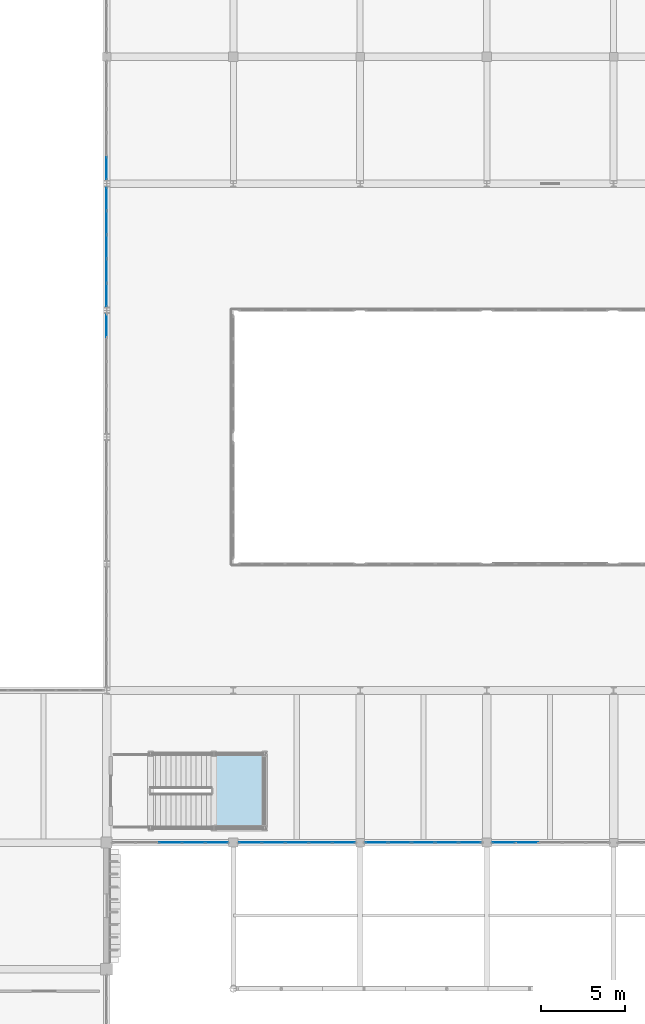
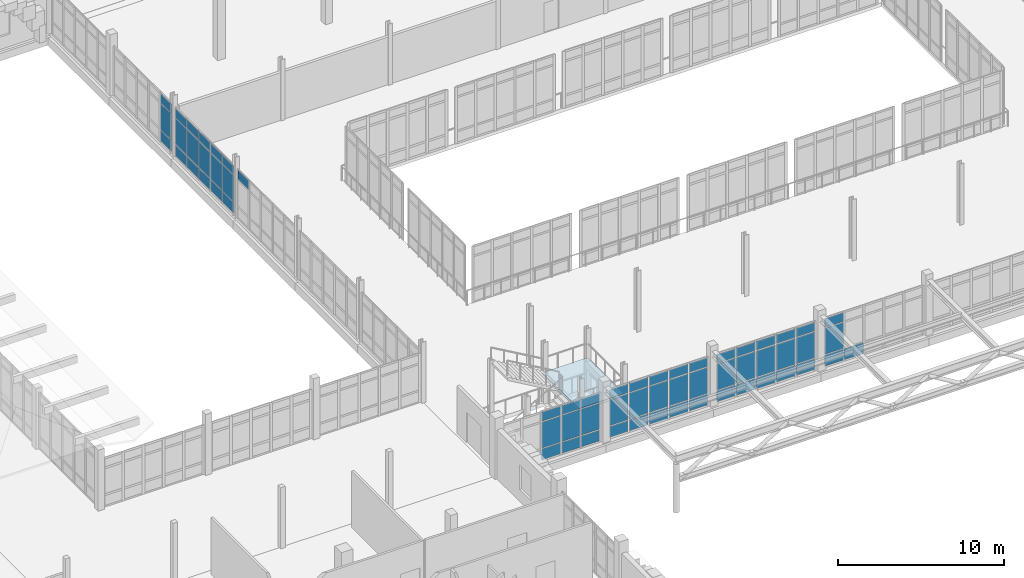
# One storey, part 75 of 128: 62 plates, 1 slab, 8 elements without a shape of their own.
"""IFC4 building model written with IfcOpenShell, lengths in metres."""

from ifc_helpers import new_model, si_unit, direction, frame, origin, origin_2d, place, context, subcontext, project, spatial, polyline, rectangle, outline, extrude, material, layer, layer_set, type_object, element, aggregate, save


model = new_model("IFC4")

# Units and contexts
model_context = context("Model", 3, precision=1e-05, world=origin(), true_north=direction((0.0, 1.0)))
body_context = subcontext(model_context, "Body", "Model", "MODEL_VIEW")
ifc_project = project(units=[si_unit("LENGTHUNIT", "METRE"), si_unit("AREAUNIT", "SQUARE_METRE"), si_unit("VOLUMEUNIT", "CUBIC_METRE"), si_unit("PLANEANGLEUNIT", "RADIAN"), si_unit("MASSUNIT", "GRAM", prefix="KILO")], contexts=[model_context])

# Site, building, storey
site_placement = place(None, origin())
site = spatial("IfcSite", under=ifc_project, at=site_placement, CompositionType="ELEMENT")
building_placement = place(site_placement, origin())
building = spatial("IfcBuilding", under=site, at=building_placement, Name="Dalvernix Boulevard General Hospital", CompositionType="ELEMENT")
storey_placement = place(building_placement, frame((0.0, 0.0, 4.800048828125)))
storey = spatial("IfcBuildingStorey", under=building, at=storey_placement, Name="L01", CompositionType="ELEMENT", Elevation=4.800048828125)

# Curtain wall, plates
ifc_material_1 = material(Name="Thermally broken aluminium and solar-control glass curtain wall", Category="aluminium")
ifc_layer_1 = layer(ifc_material_1, 0.159912109375)
ifc_layer_set_1 = layer_set([ifc_layer_1], Name="Thermally broken aluminium and solar-control glass curtain wall (CW-CW-A-69x36)")
curtain_wall_type_1 = type_object("IfcCurtainWallType", Name="CW-CW-A-69x36", PredefinedType="USERDEFINED", material=ifc_layer_set_1)
curtain_wall_1_placement = place(storey_placement, origin())
curtain_wall_1 = element("IfcCurtainWall", 1, at=curtain_wall_1_placement, inside=storey, type_object=curtain_wall_type_1, Name="L01 curtain wall CW-A-69x36 8-3", ObjectType="GLAZED FACADE", PredefinedType="USERDEFINED")
ifc_material_2 = material(Name="Double-glazed solar-control low-emissivity glass", Category="glass")
ifc_layer_2 = layer(ifc_material_2, 0.02392578125)
ifc_layer_set_2 = layer_set([ifc_layer_2], Name="Double-glazed solar-control low-emissivity glass (PLT-CW-P1)")
plate_type_1 = type_object("IfcPlateType", Name="PLT-CW-P1", PredefinedType="CURTAIN_PANEL", material=ifc_layer_set_2)
plate_1_placement = place(storey_placement, frame((66.511962890625, 22.5, 0.059814453125), z_axis=(0.0, 0.0, 1.0), x_axis=(-1.0, 0.0, 0.0)))
plate_1 = element("IfcPlate", 2, at=plate_1_placement, type_object=plate_type_1, Name="CW-A-69x36 panel 1.1", PredefinedType="CURTAIN_PANEL", context=body_context, shape_type="SweptSolid", body=[
    extrude(rectangle(XDim=1.285888671875, YDim=0.02392578125, at=origin_2d()), origin(), (0.0, 0.0, 1.0), 0.81005859375),
])
plate_2_placement = place(storey_placement, frame((66.511962890625, 22.5, 0.929931640625), z_axis=(0.0, 0.0, 1.0), x_axis=(-1.0, 0.0, 0.0)))
plate_2 = element("IfcPlate", 3, at=plate_2_placement, type_object=plate_type_1, Name="CW-A-69x36 panel 1.2", PredefinedType="CURTAIN_PANEL", context=body_context, shape_type="SweptSolid", body=[
    extrude(rectangle(XDim=1.285888671875, YDim=0.02392578125, at=origin_2d()), origin(), (0.0, 0.0, 1.0), 1.919921875),
])
plate_3_placement = place(storey_placement, frame((66.511962890625, 22.5, 2.91015625), z_axis=(0.0, 0.0, 1.0), x_axis=(-1.0, 0.0, 0.0)))
plate_3 = element("IfcPlate", 4, at=plate_3_placement, type_object=plate_type_1, Name="CW-A-69x36 panel 1.3", PredefinedType="CURTAIN_PANEL", context=body_context, shape_type="SweptSolid", body=[
    extrude(rectangle(XDim=1.285888671875, YDim=0.02392578125, at=origin_2d()), origin(), (0.0, 0.0, 1.0), 0.659912109375),
])
plate_4_placement = place(storey_placement, frame((65.15087890625, 22.5, 0.059814453125), z_axis=(0.0, 0.0, 1.0), x_axis=(-1.0, 0.0, 0.0)))
plate_4 = element("IfcPlate", 5, at=plate_4_placement, type_object=plate_type_1, Name="CW-A-69x36 panel 2.1", PredefinedType="CURTAIN_PANEL", context=body_context, shape_type="SweptSolid", body=[
    extrude(rectangle(XDim=1.31591796875, YDim=0.02392578125, at=origin_2d()), origin(), (0.0, 0.0, 1.0), 0.81005859375),
])
plate_5_placement = place(storey_placement, frame((65.15087890625, 22.5, 0.929931640625), z_axis=(0.0, 0.0, 1.0), x_axis=(-1.0, 0.0, 0.0)))
plate_5 = element("IfcPlate", 6, at=plate_5_placement, type_object=plate_type_1, Name="CW-A-69x36 panel 2.2", PredefinedType="CURTAIN_PANEL", context=body_context, shape_type="SweptSolid", body=[
    extrude(rectangle(XDim=1.31591796875, YDim=0.02392578125, at=origin_2d()), origin(), (0.0, 0.0, 1.0), 1.919921875),
])
plate_6_placement = place(storey_placement, frame((65.15087890625, 22.5, 2.91015625), z_axis=(0.0, 0.0, 1.0), x_axis=(-1.0, 0.0, 0.0)))
plate_6 = element("IfcPlate", 7, at=plate_6_placement, type_object=plate_type_1, Name="CW-A-69x36 panel 2.3", PredefinedType="CURTAIN_PANEL", context=body_context, shape_type="SweptSolid", body=[
    extrude(rectangle(XDim=1.31591796875, YDim=0.02392578125, at=origin_2d()), origin(), (0.0, 0.0, 1.0), 0.659912109375),
])
plate_7_placement = place(storey_placement, frame((63.77490234375, 22.5, 0.059814453125), z_axis=(0.0, 0.0, 1.0), x_axis=(-1.0, 0.0, 0.0)))
plate_7 = element("IfcPlate", 8, at=plate_7_placement, type_object=plate_type_1, Name="CW-A-69x36 panel 3.1", PredefinedType="CURTAIN_PANEL", context=body_context, shape_type="SweptSolid", body=[
    extrude(rectangle(XDim=1.31591796875, YDim=0.02392578125, at=origin_2d()), origin(), (0.0, 0.0, 1.0), 0.81005859375),
])
plate_8_placement = place(storey_placement, frame((63.77490234375, 22.5, 0.929931640625), z_axis=(0.0, 0.0, 1.0), x_axis=(-1.0, 0.0, 0.0)))
plate_8 = element("IfcPlate", 9, at=plate_8_placement, type_object=plate_type_1, Name="CW-A-69x36 panel 3.2", PredefinedType="CURTAIN_PANEL", context=body_context, shape_type="SweptSolid", body=[
    extrude(rectangle(XDim=1.31591796875, YDim=0.02392578125, at=origin_2d()), origin(), (0.0, 0.0, 1.0), 1.919921875),
])
plate_9_placement = place(storey_placement, frame((63.77490234375, 22.5, 2.91015625), z_axis=(0.0, 0.0, 1.0), x_axis=(-1.0, 0.0, 0.0)))
plate_9 = element("IfcPlate", 10, at=plate_9_placement, type_object=plate_type_1, Name="CW-A-69x36 panel 3.3", PredefinedType="CURTAIN_PANEL", context=body_context, shape_type="SweptSolid", body=[
    extrude(rectangle(XDim=1.31591796875, YDim=0.02392578125, at=origin_2d()), origin(), (0.0, 0.0, 1.0), 0.659912109375),
])
aggregate(curtain_wall_1, [plate_1, plate_2, plate_3, plate_4, plate_5, plate_6, plate_7, plate_8, plate_9])

# Curtain wall, plate
ifc_layer_3 = layer(ifc_material_1, 0.159912109375)
ifc_layer_set_3 = layer_set([ifc_layer_3], Name="Thermally broken aluminium and solar-control glass curtain wall (CW-CW-A-71x36)")
curtain_wall_type_2 = type_object("IfcCurtainWallType", Name="CW-CW-A-71x36", PredefinedType="USERDEFINED", material=ifc_layer_set_3)
curtain_wall_2_placement = place(storey_placement, origin())
curtain_wall_2 = element("IfcCurtainWall", 11, at=curtain_wall_2_placement, inside=storey, type_object=curtain_wall_type_2, Name="L01 curtain wall CW-A-71x36 8-6", ObjectType="GLAZED FACADE", PredefinedType="USERDEFINED")
plate_10_placement = place(storey_placement, frame((60.0, 53.0830078125, 2.91015625), z_axis=(0.0, 0.0, 1.0), x_axis=(0.0, 1.0, 0.0)))
plate_10 = element("IfcPlate", 12, at=plate_10_placement, type_object=plate_type_1, Name="CW-A-71x36 panel 5.3", PredefinedType="CURTAIN_PANEL", context=body_context, shape_type="SweptSolid", body=[
    extrude(rectangle(XDim=1.333984375, YDim=0.02392578125, at=origin_2d()), origin(), (0.0, 0.0, 1.0), 0.659912109375),
])
aggregate(curtain_wall_2, [plate_10])

# Curtain wall, plates
ifc_layer_4 = layer(ifc_material_1, 0.159912109375)
ifc_layer_set_4 = layer_set([ifc_layer_4], Name="Thermally broken aluminium and solar-control glass curtain wall (CW-CW-A-70x36)")
curtain_wall_type_3 = type_object("IfcCurtainWallType", Name="CW-CW-A-70x36", PredefinedType="USERDEFINED", material=ifc_layer_set_4)
curtain_wall_3_placement = place(storey_placement, origin())
curtain_wall_3 = element("IfcCurtainWall", 13, at=curtain_wall_3_placement, inside=storey, type_object=curtain_wall_type_3, Name="L01 curtain wall CW-A-70x36 11-3", ObjectType="GLAZED FACADE", PredefinedType="USERDEFINED")
plate_11_placement = place(storey_placement, frame((84.87158203125, 22.5, 0.059814453125), z_axis=(0.0, 0.0, 1.0), x_axis=(-1.0, 0.0, 0.0)))
plate_11 = element("IfcPlate", 14, at=plate_11_placement, type_object=plate_type_1, Name="CW-A-70x36 panel 4.1", PredefinedType="CURTAIN_PANEL", context=body_context, shape_type="SweptSolid", body=[
    extrude(rectangle(XDim=1.3310546875, YDim=0.02392578125, at=origin_2d()), origin(), (0.0, 0.0, 1.0), 0.81005859375),
])
plate_12_placement = place(storey_placement, frame((83.49560546875, 22.5, 0.059814453125), z_axis=(0.0, 0.0, 1.0), x_axis=(-1.0, 0.0, 0.0)))
plate_12 = element("IfcPlate", 15, at=plate_12_placement, type_object=plate_type_1, Name="CW-A-70x36 panel 5.1", PredefinedType="CURTAIN_PANEL", context=body_context, shape_type="SweptSolid", body=[
    extrude(rectangle(XDim=1.301025390625, YDim=0.02392578125, at=origin_2d()), origin(), (0.0, 0.0, 1.0), 0.81005859375),
])
plate_13_placement = place(storey_placement, frame((83.49560546875, 22.5, 0.929931640625), z_axis=(0.0, 0.0, 1.0), x_axis=(-1.0, 0.0, 0.0)))
plate_13 = element("IfcPlate", 16, at=plate_13_placement, type_object=plate_type_1, Name="CW-A-70x36 panel 5.2", PredefinedType="CURTAIN_PANEL", context=body_context, shape_type="SweptSolid", body=[
    extrude(rectangle(XDim=1.301025390625, YDim=0.02392578125, at=origin_2d()), origin(), (0.0, 0.0, 1.0), 1.919921875),
])
plate_14_placement = place(storey_placement, frame((83.49560546875, 22.5, 2.91015625), z_axis=(0.0, 0.0, 1.0), x_axis=(-1.0, 0.0, 0.0)))
plate_14 = element("IfcPlate", 17, at=plate_14_placement, type_object=plate_type_1, Name="CW-A-70x36 panel 5.3", PredefinedType="CURTAIN_PANEL", context=body_context, shape_type="SweptSolid", body=[
    extrude(rectangle(XDim=1.301025390625, YDim=0.02392578125, at=origin_2d()), origin(), (0.0, 0.0, 1.0), 0.659912109375),
])
aggregate(curtain_wall_3, [plate_11, plate_12, plate_13, plate_14])

ifc_layer_5 = layer(ifc_material_1, 0.179931640625)
ifc_layer_set_5 = layer_set([ifc_layer_5], Name="Thermally broken aluminium and solar-control glass curtain wall (CW-CW-B-71x36)")
curtain_wall_type_4 = type_object("IfcCurtainWallType", Name="CW-CW-B-71x36", PredefinedType="USERDEFINED", material=ifc_layer_set_5)
curtain_wall_4_placement = place(storey_placement, origin())
curtain_wall_4 = element("IfcCurtainWall", 18, at=curtain_wall_4_placement, inside=storey, type_object=curtain_wall_type_4, Name="L01 curtain wall CW-B-71x36 8-7", ObjectType="GLAZED FACADE", PredefinedType="USERDEFINED")
ifc_layer_6 = layer(ifc_material_2, 0.028076171875)
ifc_layer_set_6 = layer_set([ifc_layer_6], Name="Double-glazed solar-control low-emissivity glass (PLT-CW-P2)")
plate_type_2 = type_object("IfcPlateType", Name="PLT-CW-P2", PredefinedType="CURTAIN_PANEL", material=ifc_layer_set_6)
plate_15_placement = place(storey_placement, frame((60.0, 54.918212890625, 0.06494140625), z_axis=(0.0, 0.0, 1.0), x_axis=(0.0, 1.0, 0.0)))
plate_15 = element("IfcPlate", 19, at=plate_15_placement, type_object=plate_type_2, Name="CW-B-71x36 panel 1.1", PredefinedType="CURTAIN_PANEL", context=body_context, shape_type="SweptSolid", body=[
    extrude(rectangle(XDim=1.326416015625, YDim=0.028076171875, at=origin_2d()), origin(), (0.0, 0.0, 1.0), 0.802490234375),
])
plate_16_placement = place(storey_placement, frame((60.0, 54.918212890625, 0.932373046875), z_axis=(0.0, 0.0, 1.0), x_axis=(0.0, 1.0, 0.0)))
plate_16 = element("IfcPlate", 20, at=plate_16_placement, type_object=plate_type_2, Name="CW-B-71x36 panel 1.2", PredefinedType="CURTAIN_PANEL", context=body_context, shape_type="SweptSolid", body=[
    extrude(rectangle(XDim=1.326416015625, YDim=0.028076171875, at=origin_2d()), origin(), (0.0, 0.0, 1.0), 1.9150390625),
])
plate_17_placement = place(storey_placement, frame((60.0, 54.918212890625, 2.91259765625), z_axis=(0.0, 0.0, 1.0), x_axis=(0.0, 1.0, 0.0)))
plate_17 = element("IfcPlate", 21, at=plate_17_placement, type_object=plate_type_2, Name="CW-B-71x36 panel 1.3", PredefinedType="CURTAIN_PANEL", context=body_context, shape_type="SweptSolid", body=[
    extrude(rectangle(XDim=1.326416015625, YDim=0.028076171875, at=origin_2d()), origin(), (0.0, 0.0, 1.0), 0.652587890625),
])
plate_18_placement = place(storey_placement, frame((60.0, 56.325927734375, 0.06494140625), z_axis=(0.0, 0.0, 1.0), x_axis=(0.0, 1.0, 0.0)))
plate_18 = element("IfcPlate", 22, at=plate_18_placement, type_object=plate_type_2, Name="CW-B-71x36 panel 2.1", PredefinedType="CURTAIN_PANEL", context=body_context, shape_type="SweptSolid", body=[
    extrude(rectangle(XDim=1.35888671875, YDim=0.028076171875, at=origin_2d()), origin(), (0.0, 0.0, 1.0), 0.802490234375),
])
plate_19_placement = place(storey_placement, frame((60.0, 56.325927734375, 0.932373046875), z_axis=(0.0, 0.0, 1.0), x_axis=(0.0, 1.0, 0.0)))
plate_19 = element("IfcPlate", 23, at=plate_19_placement, type_object=plate_type_2, Name="CW-B-71x36 panel 2.2", PredefinedType="CURTAIN_PANEL", context=body_context, shape_type="SweptSolid", body=[
    extrude(rectangle(XDim=1.35888671875, YDim=0.028076171875, at=origin_2d()), origin(), (0.0, 0.0, 1.0), 1.9150390625),
])
plate_20_placement = place(storey_placement, frame((60.0, 56.325927734375, 2.91259765625), z_axis=(0.0, 0.0, 1.0), x_axis=(0.0, 1.0, 0.0)))
plate_20 = element("IfcPlate", 24, at=plate_20_placement, type_object=plate_type_2, Name="CW-B-71x36 panel 2.3", PredefinedType="CURTAIN_PANEL", context=body_context, shape_type="SweptSolid", body=[
    extrude(rectangle(XDim=1.35888671875, YDim=0.028076171875, at=origin_2d()), origin(), (0.0, 0.0, 1.0), 0.652587890625),
])
plate_21_placement = place(storey_placement, frame((60.0, 57.75, 0.06494140625), z_axis=(0.0, 0.0, 1.0), x_axis=(0.0, 1.0, 0.0)))
plate_21 = element("IfcPlate", 25, at=plate_21_placement, type_object=plate_type_2, Name="CW-B-71x36 panel 3.1", PredefinedType="CURTAIN_PANEL", context=body_context, shape_type="SweptSolid", body=[
    extrude(rectangle(XDim=1.35888671875, YDim=0.028076171875, at=origin_2d()), origin(), (0.0, 0.0, 1.0), 0.802490234375),
])
plate_22_placement = place(storey_placement, frame((60.0, 57.75, 0.932373046875), z_axis=(0.0, 0.0, 1.0), x_axis=(0.0, 1.0, 0.0)))
plate_22 = element("IfcPlate", 26, at=plate_22_placement, type_object=plate_type_2, Name="CW-B-71x36 panel 3.2", PredefinedType="CURTAIN_PANEL", context=body_context, shape_type="SweptSolid", body=[
    extrude(rectangle(XDim=1.35888671875, YDim=0.028076171875, at=origin_2d()), origin(), (0.0, 0.0, 1.0), 1.9150390625),
])
plate_23_placement = place(storey_placement, frame((60.0, 57.75, 2.91259765625), z_axis=(0.0, 0.0, 1.0), x_axis=(0.0, 1.0, 0.0)))
plate_23 = element("IfcPlate", 27, at=plate_23_placement, type_object=plate_type_2, Name="CW-B-71x36 panel 3.3", PredefinedType="CURTAIN_PANEL", context=body_context, shape_type="SweptSolid", body=[
    extrude(rectangle(XDim=1.35888671875, YDim=0.028076171875, at=origin_2d()), origin(), (0.0, 0.0, 1.0), 0.652587890625),
])
plate_24_placement = place(storey_placement, frame((60.0, 59.174072265625, 0.06494140625), z_axis=(0.0, 0.0, 1.0), x_axis=(0.0, 1.0, 0.0)))
plate_24 = element("IfcPlate", 28, at=plate_24_placement, type_object=plate_type_2, Name="CW-B-71x36 panel 4.1", PredefinedType="CURTAIN_PANEL", context=body_context, shape_type="SweptSolid", body=[
    extrude(rectangle(XDim=1.35888671875, YDim=0.028076171875, at=origin_2d()), origin(), (0.0, 0.0, 1.0), 0.802490234375),
])
plate_25_placement = place(storey_placement, frame((60.0, 59.174072265625, 0.932373046875), z_axis=(0.0, 0.0, 1.0), x_axis=(0.0, 1.0, 0.0)))
plate_25 = element("IfcPlate", 29, at=plate_25_placement, type_object=plate_type_2, Name="CW-B-71x36 panel 4.2", PredefinedType="CURTAIN_PANEL", context=body_context, shape_type="SweptSolid", body=[
    extrude(rectangle(XDim=1.35888671875, YDim=0.028076171875, at=origin_2d()), origin(), (0.0, 0.0, 1.0), 1.9150390625),
])
plate_26_placement = place(storey_placement, frame((60.0, 59.174072265625, 2.91259765625), z_axis=(0.0, 0.0, 1.0), x_axis=(0.0, 1.0, 0.0)))
plate_26 = element("IfcPlate", 30, at=plate_26_placement, type_object=plate_type_2, Name="CW-B-71x36 panel 4.3", PredefinedType="CURTAIN_PANEL", context=body_context, shape_type="SweptSolid", body=[
    extrude(rectangle(XDim=1.35888671875, YDim=0.028076171875, at=origin_2d()), origin(), (0.0, 0.0, 1.0), 0.652587890625),
])
plate_27_placement = place(storey_placement, frame((60.0, 60.581787109375, 0.06494140625), z_axis=(0.0, 0.0, 1.0), x_axis=(0.0, 1.0, 0.0)))
plate_27 = element("IfcPlate", 31, at=plate_27_placement, type_object=plate_type_2, Name="CW-B-71x36 panel 5.1", PredefinedType="CURTAIN_PANEL", context=body_context, shape_type="SweptSolid", body=[
    extrude(rectangle(XDim=1.326416015625, YDim=0.028076171875, at=origin_2d()), origin(), (0.0, 0.0, 1.0), 0.802490234375),
])
plate_28_placement = place(storey_placement, frame((60.0, 60.581787109375, 0.932373046875), z_axis=(0.0, 0.0, 1.0), x_axis=(0.0, 1.0, 0.0)))
plate_28 = element("IfcPlate", 32, at=plate_28_placement, type_object=plate_type_2, Name="CW-B-71x36 panel 5.2", PredefinedType="CURTAIN_PANEL", context=body_context, shape_type="SweptSolid", body=[
    extrude(rectangle(XDim=1.326416015625, YDim=0.028076171875, at=origin_2d()), origin(), (0.0, 0.0, 1.0), 1.9150390625),
])
plate_29_placement = place(storey_placement, frame((60.0, 60.581787109375, 2.91259765625), z_axis=(0.0, 0.0, 1.0), x_axis=(0.0, 1.0, 0.0)))
plate_29 = element("IfcPlate", 33, at=plate_29_placement, type_object=plate_type_2, Name="CW-B-71x36 panel 5.3", PredefinedType="CURTAIN_PANEL", context=body_context, shape_type="SweptSolid", body=[
    extrude(rectangle(XDim=1.326416015625, YDim=0.028076171875, at=origin_2d()), origin(), (0.0, 0.0, 1.0), 0.652587890625),
])
aggregate(curtain_wall_4, [plate_15, plate_16, plate_17, plate_18, plate_19, plate_20, plate_21, plate_22, plate_23, plate_24, plate_25, plate_26, plate_27, plate_28, plate_29])

ifc_layer_7 = layer(ifc_material_1, 0.179931640625)
ifc_layer_set_7 = layer_set([ifc_layer_7], Name="Thermally broken aluminium and solar-control glass curtain wall (CW-CW-B-70x36)")
curtain_wall_type_5 = type_object("IfcCurtainWallType", Name="CW-CW-B-70x36", PredefinedType="USERDEFINED", material=ifc_layer_set_7)
curtain_wall_5_placement = place(storey_placement, origin())
curtain_wall_5 = element("IfcCurtainWall", 34, at=curtain_wall_5_placement, inside=storey, type_object=curtain_wall_type_5, Name="L01 curtain wall CW-B-70x36 9-3", ObjectType="GLAZED FACADE", PredefinedType="USERDEFINED")
plate_30_placement = place(storey_placement, frame((74.0283203125, 22.5, 0.06494140625), z_axis=(0.0, 0.0, 1.0), x_axis=(-1.0, 0.0, 0.0)))
plate_30 = element("IfcPlate", 35, at=plate_30_placement, type_object=plate_type_2, Name="CW-B-70x36 panel 1.1", PredefinedType="CURTAIN_PANEL", context=body_context, shape_type="SweptSolid", body=[
    extrude(rectangle(XDim=1.29345703125, YDim=0.028076171875, at=origin_2d()), origin(), (0.0, 0.0, 1.0), 0.802490234375),
])
plate_31_placement = place(storey_placement, frame((74.0283203125, 22.5, 0.932373046875), z_axis=(0.0, 0.0, 1.0), x_axis=(-1.0, 0.0, 0.0)))
plate_31 = element("IfcPlate", 36, at=plate_31_placement, type_object=plate_type_2, Name="CW-B-70x36 panel 1.2", PredefinedType="CURTAIN_PANEL", context=body_context, shape_type="SweptSolid", body=[
    extrude(rectangle(XDim=1.29345703125, YDim=0.028076171875, at=origin_2d()), origin(), (0.0, 0.0, 1.0), 1.9150390625),
])
plate_32_placement = place(storey_placement, frame((74.0283203125, 22.5, 2.91259765625), z_axis=(0.0, 0.0, 1.0), x_axis=(-1.0, 0.0, 0.0)))
plate_32 = element("IfcPlate", 37, at=plate_32_placement, type_object=plate_type_2, Name="CW-B-70x36 panel 1.3", PredefinedType="CURTAIN_PANEL", context=body_context, shape_type="SweptSolid", body=[
    extrude(rectangle(XDim=1.29345703125, YDim=0.028076171875, at=origin_2d()), origin(), (0.0, 0.0, 1.0), 0.652587890625),
])
plate_33_placement = place(storey_placement, frame((72.653564453125, 22.5, 0.06494140625), z_axis=(0.0, 0.0, 1.0), x_axis=(-1.0, 0.0, 0.0)))
plate_33 = element("IfcPlate", 38, at=plate_33_placement, type_object=plate_type_2, Name="CW-B-70x36 panel 2.1", PredefinedType="CURTAIN_PANEL", context=body_context, shape_type="SweptSolid", body=[
    extrude(rectangle(XDim=1.325927734375, YDim=0.028076171875, at=origin_2d()), origin(), (0.0, 0.0, 1.0), 0.802490234375),
])
plate_34_placement = place(storey_placement, frame((72.653564453125, 22.5, 0.932373046875), z_axis=(0.0, 0.0, 1.0), x_axis=(-1.0, 0.0, 0.0)))
plate_34 = element("IfcPlate", 39, at=plate_34_placement, type_object=plate_type_2, Name="CW-B-70x36 panel 2.2", PredefinedType="CURTAIN_PANEL", context=body_context, shape_type="SweptSolid", body=[
    extrude(rectangle(XDim=1.325927734375, YDim=0.028076171875, at=origin_2d()), origin(), (0.0, 0.0, 1.0), 1.9150390625),
])
plate_35_placement = place(storey_placement, frame((72.653564453125, 22.5, 2.91259765625), z_axis=(0.0, 0.0, 1.0), x_axis=(-1.0, 0.0, 0.0)))
plate_35 = element("IfcPlate", 40, at=plate_35_placement, type_object=plate_type_2, Name="CW-B-70x36 panel 2.3", PredefinedType="CURTAIN_PANEL", context=body_context, shape_type="SweptSolid", body=[
    extrude(rectangle(XDim=1.325927734375, YDim=0.028076171875, at=origin_2d()), origin(), (0.0, 0.0, 1.0), 0.652587890625),
])
plate_36_placement = place(storey_placement, frame((71.262451171875, 22.5, 0.06494140625), z_axis=(0.0, 0.0, 1.0), x_axis=(-1.0, 0.0, 0.0)))
plate_36 = element("IfcPlate", 41, at=plate_36_placement, type_object=plate_type_2, Name="CW-B-70x36 panel 3.1", PredefinedType="CURTAIN_PANEL", context=body_context, shape_type="SweptSolid", body=[
    extrude(rectangle(XDim=1.325927734375, YDim=0.028076171875, at=origin_2d()), origin(), (0.0, 0.0, 1.0), 0.802490234375),
])
plate_37_placement = place(storey_placement, frame((71.262451171875, 22.5, 0.932373046875), z_axis=(0.0, 0.0, 1.0), x_axis=(-1.0, 0.0, 0.0)))
plate_37 = element("IfcPlate", 42, at=plate_37_placement, type_object=plate_type_2, Name="CW-B-70x36 panel 3.2", PredefinedType="CURTAIN_PANEL", context=body_context, shape_type="SweptSolid", body=[
    extrude(rectangle(XDim=1.325927734375, YDim=0.028076171875, at=origin_2d()), origin(), (0.0, 0.0, 1.0), 1.9150390625),
])
plate_38_placement = place(storey_placement, frame((71.262451171875, 22.5, 2.91259765625), z_axis=(0.0, 0.0, 1.0), x_axis=(-1.0, 0.0, 0.0)))
plate_38 = element("IfcPlate", 43, at=plate_38_placement, type_object=plate_type_2, Name="CW-B-70x36 panel 3.3", PredefinedType="CURTAIN_PANEL", context=body_context, shape_type="SweptSolid", body=[
    extrude(rectangle(XDim=1.325927734375, YDim=0.028076171875, at=origin_2d()), origin(), (0.0, 0.0, 1.0), 0.652587890625),
])
plate_39_placement = place(storey_placement, frame((69.87158203125, 22.5, 0.06494140625), z_axis=(0.0, 0.0, 1.0), x_axis=(-1.0, 0.0, 0.0)))
plate_39 = element("IfcPlate", 44, at=plate_39_placement, type_object=plate_type_2, Name="CW-B-70x36 panel 4.1", PredefinedType="CURTAIN_PANEL", context=body_context, shape_type="SweptSolid", body=[
    extrude(rectangle(XDim=1.325927734375, YDim=0.028076171875, at=origin_2d()), origin(), (0.0, 0.0, 1.0), 0.802490234375),
])
plate_40_placement = place(storey_placement, frame((69.87158203125, 22.5, 0.932373046875), z_axis=(0.0, 0.0, 1.0), x_axis=(-1.0, 0.0, 0.0)))
plate_40 = element("IfcPlate", 45, at=plate_40_placement, type_object=plate_type_2, Name="CW-B-70x36 panel 4.2", PredefinedType="CURTAIN_PANEL", context=body_context, shape_type="SweptSolid", body=[
    extrude(rectangle(XDim=1.325927734375, YDim=0.028076171875, at=origin_2d()), origin(), (0.0, 0.0, 1.0), 1.9150390625),
])
plate_41_placement = place(storey_placement, frame((69.87158203125, 22.5, 2.91259765625), z_axis=(0.0, 0.0, 1.0), x_axis=(-1.0, 0.0, 0.0)))
plate_41 = element("IfcPlate", 46, at=plate_41_placement, type_object=plate_type_2, Name="CW-B-70x36 panel 4.3", PredefinedType="CURTAIN_PANEL", context=body_context, shape_type="SweptSolid", body=[
    extrude(rectangle(XDim=1.325927734375, YDim=0.028076171875, at=origin_2d()), origin(), (0.0, 0.0, 1.0), 0.652587890625),
])
plate_42_placement = place(storey_placement, frame((68.496826171875, 22.5, 0.06494140625), z_axis=(0.0, 0.0, 1.0), x_axis=(-1.0, 0.0, 0.0)))
plate_42 = element("IfcPlate", 47, at=plate_42_placement, type_object=plate_type_2, Name="CW-B-70x36 panel 5.1", PredefinedType="CURTAIN_PANEL", context=body_context, shape_type="SweptSolid", body=[
    extrude(rectangle(XDim=1.29345703125, YDim=0.028076171875, at=origin_2d()), origin(), (0.0, 0.0, 1.0), 0.802490234375),
])
plate_43_placement = place(storey_placement, frame((68.496826171875, 22.5, 0.932373046875), z_axis=(0.0, 0.0, 1.0), x_axis=(-1.0, 0.0, 0.0)))
plate_43 = element("IfcPlate", 48, at=plate_43_placement, type_object=plate_type_2, Name="CW-B-70x36 panel 5.2", PredefinedType="CURTAIN_PANEL", context=body_context, shape_type="SweptSolid", body=[
    extrude(rectangle(XDim=1.29345703125, YDim=0.028076171875, at=origin_2d()), origin(), (0.0, 0.0, 1.0), 1.9150390625),
])
plate_44_placement = place(storey_placement, frame((68.496826171875, 22.5, 2.91259765625), z_axis=(0.0, 0.0, 1.0), x_axis=(-1.0, 0.0, 0.0)))
plate_44 = element("IfcPlate", 49, at=plate_44_placement, type_object=plate_type_2, Name="CW-B-70x36 panel 5.3", PredefinedType="CURTAIN_PANEL", context=body_context, shape_type="SweptSolid", body=[
    extrude(rectangle(XDim=1.29345703125, YDim=0.028076171875, at=origin_2d()), origin(), (0.0, 0.0, 1.0), 0.652587890625),
])
aggregate(curtain_wall_5, [plate_30, plate_31, plate_32, plate_33, plate_34, plate_35, plate_36, plate_37, plate_38, plate_39, plate_40, plate_41, plate_42, plate_43, plate_44])

ifc_layer_8 = layer(ifc_material_1, 0.199951171875)
ifc_layer_set_8 = layer_set([ifc_layer_8], Name="Thermally broken aluminium and solar-control glass curtain wall (CW-CW-C-70x36)")
curtain_wall_type_6 = type_object("IfcCurtainWallType", Name="CW-CW-C-70x36", PredefinedType="USERDEFINED", material=ifc_layer_set_8)
curtain_wall_6_placement = place(storey_placement, origin())
curtain_wall_6 = element("IfcCurtainWall", 50, at=curtain_wall_6_placement, inside=storey, type_object=curtain_wall_type_6, Name="L01 curtain wall CW-C-70x36 8-8", ObjectType="GLAZED FACADE", PredefinedType="USERDEFINED")
ifc_layer_9 = layer(ifc_material_2, 0.035888671875)
ifc_layer_set_9 = layer_set([ifc_layer_9], Name="Double-glazed solar-control low-emissivity glass (PLT-CW-P3)")
plate_type_3 = type_object("IfcPlateType", Name="PLT-CW-P3", PredefinedType="CURTAIN_PANEL", material=ifc_layer_set_9)
plate_45_placement = place(storey_placement, frame((60.0, 62.41259765625, 0.070068359375), z_axis=(0.0, 0.0, 1.0), x_axis=(0.0, 1.0, 0.0)))
plate_45 = element("IfcPlate", 51, at=plate_45_placement, type_object=plate_type_3, Name="CW-C-70x36 panel 1.1", PredefinedType="CURTAIN_PANEL", context=body_context, shape_type="SweptSolid", body=[
    extrude(rectangle(XDim=1.304931640625, YDim=0.035888671875, at=origin_2d()), origin(), (0.0, 0.0, 1.0), 0.794921875),
])
plate_46_placement = place(storey_placement, frame((60.0, 62.41259765625, 0.93505859375), z_axis=(0.0, 0.0, 1.0), x_axis=(0.0, 1.0, 0.0)))
plate_46 = element("IfcPlate", 52, at=plate_46_placement, type_object=plate_type_3, Name="CW-C-70x36 panel 1.2", PredefinedType="CURTAIN_PANEL", context=body_context, shape_type="SweptSolid", body=[
    extrude(rectangle(XDim=1.304931640625, YDim=0.035888671875, at=origin_2d()), origin(), (0.0, 0.0, 1.0), 1.909912109375),
])
plate_47_placement = place(storey_placement, frame((60.0, 62.41259765625, 2.9150390625), z_axis=(0.0, 0.0, 1.0), x_axis=(0.0, 1.0, 0.0)))
plate_47 = element("IfcPlate", 53, at=plate_47_placement, type_object=plate_type_3, Name="CW-C-70x36 panel 1.3", PredefinedType="CURTAIN_PANEL", context=body_context, shape_type="SweptSolid", body=[
    extrude(rectangle(XDim=1.304931640625, YDim=0.035888671875, at=origin_2d()), origin(), (0.0, 0.0, 1.0), 0.64501953125),
])
aggregate(curtain_wall_6, [plate_45, plate_46, plate_47])

curtain_wall_7_placement = place(storey_placement, origin())
curtain_wall_7 = element("IfcCurtainWall", 54, at=curtain_wall_7_placement, inside=storey, type_object=curtain_wall_type_6, Name="L01 curtain wall CW-C-70x36 10-3", ObjectType="GLAZED FACADE", PredefinedType="USERDEFINED")
plate_48_placement = place(storey_placement, frame((81.501953125, 22.5, 0.070068359375), z_axis=(0.0, 0.0, 1.0), x_axis=(-1.0, 0.0, 0.0)))
plate_48 = element("IfcPlate", 55, at=plate_48_placement, type_object=plate_type_3, Name="CW-C-70x36 panel 1.1", PredefinedType="CURTAIN_PANEL", context=body_context, shape_type="SweptSolid", body=[
    extrude(rectangle(XDim=1.285888671875, YDim=0.035888671875, at=origin_2d()), origin(), (0.0, 0.0, 1.0), 0.794921875),
])
plate_49_placement = place(storey_placement, frame((81.501953125, 22.5, 0.93505859375), z_axis=(0.0, 0.0, 1.0), x_axis=(-1.0, 0.0, 0.0)))
plate_49 = element("IfcPlate", 56, at=plate_49_placement, type_object=plate_type_3, Name="CW-C-70x36 panel 1.2", PredefinedType="CURTAIN_PANEL", context=body_context, shape_type="SweptSolid", body=[
    extrude(rectangle(XDim=1.285888671875, YDim=0.035888671875, at=origin_2d()), origin(), (0.0, 0.0, 1.0), 1.909912109375),
])
plate_50_placement = place(storey_placement, frame((81.501953125, 22.5, 2.9150390625), z_axis=(0.0, 0.0, 1.0), x_axis=(-1.0, 0.0, 0.0)))
plate_50 = element("IfcPlate", 57, at=plate_50_placement, type_object=plate_type_3, Name="CW-C-70x36 panel 1.3", PredefinedType="CURTAIN_PANEL", context=body_context, shape_type="SweptSolid", body=[
    extrude(rectangle(XDim=1.285888671875, YDim=0.035888671875, at=origin_2d()), origin(), (0.0, 0.0, 1.0), 0.64501953125),
])
plate_51_placement = place(storey_placement, frame((80.12841796875, 22.5, 0.070068359375), z_axis=(0.0, 0.0, 1.0), x_axis=(-1.0, 0.0, 0.0)))
plate_51 = element("IfcPlate", 58, at=plate_51_placement, type_object=plate_type_3, Name="CW-C-70x36 panel 2.1", PredefinedType="CURTAIN_PANEL", context=body_context, shape_type="SweptSolid", body=[
    extrude(rectangle(XDim=1.321044921875, YDim=0.035888671875, at=origin_2d()), origin(), (0.0, 0.0, 1.0), 0.794921875),
])
plate_52_placement = place(storey_placement, frame((80.12841796875, 22.5, 0.93505859375), z_axis=(0.0, 0.0, 1.0), x_axis=(-1.0, 0.0, 0.0)))
plate_52 = element("IfcPlate", 59, at=plate_52_placement, type_object=plate_type_3, Name="CW-C-70x36 panel 2.2", PredefinedType="CURTAIN_PANEL", context=body_context, shape_type="SweptSolid", body=[
    extrude(rectangle(XDim=1.321044921875, YDim=0.035888671875, at=origin_2d()), origin(), (0.0, 0.0, 1.0), 1.909912109375),
])
plate_53_placement = place(storey_placement, frame((80.12841796875, 22.5, 2.9150390625), z_axis=(0.0, 0.0, 1.0), x_axis=(-1.0, 0.0, 0.0)))
plate_53 = element("IfcPlate", 60, at=plate_53_placement, type_object=plate_type_3, Name="CW-C-70x36 panel 2.3", PredefinedType="CURTAIN_PANEL", context=body_context, shape_type="SweptSolid", body=[
    extrude(rectangle(XDim=1.321044921875, YDim=0.035888671875, at=origin_2d()), origin(), (0.0, 0.0, 1.0), 0.64501953125),
])
plate_54_placement = place(storey_placement, frame((78.737548828125, 22.5, 0.070068359375), z_axis=(0.0, 0.0, 1.0), x_axis=(-1.0, 0.0, 0.0)))
plate_54 = element("IfcPlate", 61, at=plate_54_placement, type_object=plate_type_3, Name="CW-C-70x36 panel 3.1", PredefinedType="CURTAIN_PANEL", context=body_context, shape_type="SweptSolid", body=[
    extrude(rectangle(XDim=1.321044921875, YDim=0.035888671875, at=origin_2d()), origin(), (0.0, 0.0, 1.0), 0.794921875),
])
plate_55_placement = place(storey_placement, frame((78.737548828125, 22.5, 0.93505859375), z_axis=(0.0, 0.0, 1.0), x_axis=(-1.0, 0.0, 0.0)))
plate_55 = element("IfcPlate", 62, at=plate_55_placement, type_object=plate_type_3, Name="CW-C-70x36 panel 3.2", PredefinedType="CURTAIN_PANEL", context=body_context, shape_type="SweptSolid", body=[
    extrude(rectangle(XDim=1.321044921875, YDim=0.035888671875, at=origin_2d()), origin(), (0.0, 0.0, 1.0), 1.909912109375),
])
plate_56_placement = place(storey_placement, frame((78.737548828125, 22.5, 2.9150390625), z_axis=(0.0, 0.0, 1.0), x_axis=(-1.0, 0.0, 0.0)))
plate_56 = element("IfcPlate", 63, at=plate_56_placement, type_object=plate_type_3, Name="CW-C-70x36 panel 3.3", PredefinedType="CURTAIN_PANEL", context=body_context, shape_type="SweptSolid", body=[
    extrude(rectangle(XDim=1.321044921875, YDim=0.035888671875, at=origin_2d()), origin(), (0.0, 0.0, 1.0), 0.64501953125),
])
plate_57_placement = place(storey_placement, frame((77.346435546875, 22.5, 0.070068359375), z_axis=(0.0, 0.0, 1.0), x_axis=(-1.0, 0.0, 0.0)))
plate_57 = element("IfcPlate", 64, at=plate_57_placement, type_object=plate_type_3, Name="CW-C-70x36 panel 4.1", PredefinedType="CURTAIN_PANEL", context=body_context, shape_type="SweptSolid", body=[
    extrude(rectangle(XDim=1.321044921875, YDim=0.035888671875, at=origin_2d()), origin(), (0.0, 0.0, 1.0), 0.794921875),
])
plate_58_placement = place(storey_placement, frame((77.346435546875, 22.5, 0.93505859375), z_axis=(0.0, 0.0, 1.0), x_axis=(-1.0, 0.0, 0.0)))
plate_58 = element("IfcPlate", 65, at=plate_58_placement, type_object=plate_type_3, Name="CW-C-70x36 panel 4.2", PredefinedType="CURTAIN_PANEL", context=body_context, shape_type="SweptSolid", body=[
    extrude(rectangle(XDim=1.321044921875, YDim=0.035888671875, at=origin_2d()), origin(), (0.0, 0.0, 1.0), 1.909912109375),
])
plate_59_placement = place(storey_placement, frame((77.346435546875, 22.5, 2.9150390625), z_axis=(0.0, 0.0, 1.0), x_axis=(-1.0, 0.0, 0.0)))
plate_59 = element("IfcPlate", 66, at=plate_59_placement, type_object=plate_type_3, Name="CW-C-70x36 panel 4.3", PredefinedType="CURTAIN_PANEL", context=body_context, shape_type="SweptSolid", body=[
    extrude(rectangle(XDim=1.321044921875, YDim=0.035888671875, at=origin_2d()), origin(), (0.0, 0.0, 1.0), 0.64501953125),
])
plate_60_placement = place(storey_placement, frame((75.972900390625, 22.5, 0.070068359375), z_axis=(0.0, 0.0, 1.0), x_axis=(-1.0, 0.0, 0.0)))
plate_60 = element("IfcPlate", 67, at=plate_60_placement, type_object=plate_type_3, Name="CW-C-70x36 panel 5.1", PredefinedType="CURTAIN_PANEL", context=body_context, shape_type="SweptSolid", body=[
    extrude(rectangle(XDim=1.285888671875, YDim=0.035888671875, at=origin_2d()), origin(), (0.0, 0.0, 1.0), 0.794921875),
])
plate_61_placement = place(storey_placement, frame((75.972900390625, 22.5, 0.93505859375), z_axis=(0.0, 0.0, 1.0), x_axis=(-1.0, 0.0, 0.0)))
plate_61 = element("IfcPlate", 68, at=plate_61_placement, type_object=plate_type_3, Name="CW-C-70x36 panel 5.2", PredefinedType="CURTAIN_PANEL", context=body_context, shape_type="SweptSolid", body=[
    extrude(rectangle(XDim=1.285888671875, YDim=0.035888671875, at=origin_2d()), origin(), (0.0, 0.0, 1.0), 1.909912109375),
])
plate_62_placement = place(storey_placement, frame((75.972900390625, 22.5, 2.9150390625), z_axis=(0.0, 0.0, 1.0), x_axis=(-1.0, 0.0, 0.0)))
plate_62 = element("IfcPlate", 69, at=plate_62_placement, type_object=plate_type_3, Name="CW-C-70x36 panel 5.3", PredefinedType="CURTAIN_PANEL", context=body_context, shape_type="SweptSolid", body=[
    extrude(rectangle(XDim=1.285888671875, YDim=0.035888671875, at=origin_2d()), origin(), (0.0, 0.0, 1.0), 0.64501953125),
])
aggregate(curtain_wall_7, [plate_48, plate_49, plate_50, plate_51, plate_52, plate_53, plate_54, plate_55, plate_56, plate_57, plate_58, plate_59, plate_60, plate_61, plate_62])

# Stair, slab
ifc_material_3 = material(Name="Precast concrete C40/50", Category="concrete")
stair_type = type_object("IfcStairType", Name="IFCSTAIR-STC-205x450", PredefinedType="HALF_TURN_STAIR", material=ifc_material_3)
stair_placement = place(storey_placement, origin())
stair = element("IfcStair", 70, at=stair_placement, inside=storey, type_object=stair_type, Name="L01 Arrival Hall Monumental Stair ST-07", PredefinedType="HALF_TURN_STAIR")
ifc_layer_10 = layer(ifc_material_3, 0.199951171875)
ifc_layer_set_10 = layer_set([ifc_layer_10], Name="Precast concrete C40/50 (SLB-LND-01)")
slab_type = type_object("IfcSlabType", Name="SLB-LND-01", PredefinedType="LANDING", material=ifc_layer_set_10)
slab_placement = place(storey_placement, frame((0.0, 0.0, 2.050048828125)))
slab = element("IfcSlab", 71, at=slab_placement, type_object=slab_type, Name="ST-07 landing 1", PredefinedType="LANDING", context=body_context, shape_type="SweptSolid", body=[
    extrude(outline(polyline([(66.199951171875, 23.35009765625), (69.35009765625, 23.35009765625), (69.35009765625, 27.75), (66.199951171875, 27.75), (66.199951171875, 23.35009765625)])), origin(), (0.0, 0.0, 1.0), 0.199951171875),
])
aggregate(stair, [slab])

save(model, "model.ifc")
